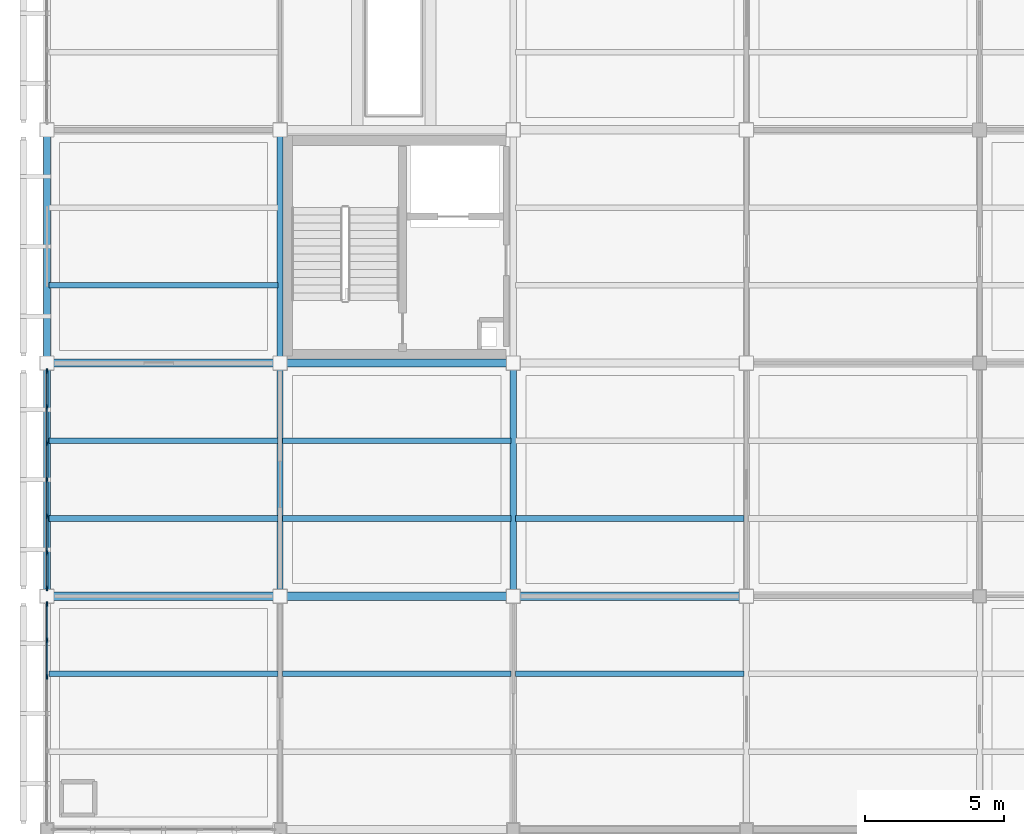
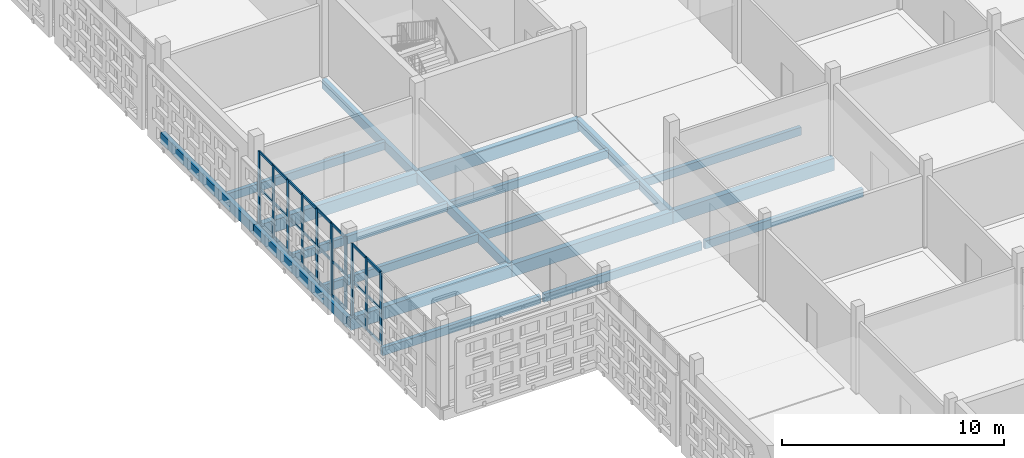
# One storey, part 24 of 203: 34 members, 19 beams, 2 elements without a shape of their own.
"""IFC4 building model written with IfcOpenShell, lengths in metres."""

from ifc_helpers import new_model, si_unit, direction, frame, origin, origin_2d, place, context, subcontext, project, spatial, rectangle, extrude, material, layer, layer_set, material_profile, profile_set, type_object, element, aggregate, save


model = new_model("IFC4")

# Units and contexts
model_context = context("Model", 3, precision=1e-05, world=origin(), true_north=direction((0.0, 1.0)))
body_context = subcontext(model_context, "Body", "Model", "MODEL_VIEW")
ifc_project = project(units=[si_unit("LENGTHUNIT", "METRE"), si_unit("AREAUNIT", "SQUARE_METRE"), si_unit("VOLUMEUNIT", "CUBIC_METRE"), si_unit("PLANEANGLEUNIT", "RADIAN"), si_unit("MASSUNIT", "GRAM", prefix="KILO")], contexts=[model_context])

# Site, building, storey
site_placement = place(None, origin())
site = spatial("IfcSite", under=ifc_project, at=site_placement, CompositionType="ELEMENT")
building_placement = place(site_placement, origin())
building = spatial("IfcBuilding", under=site, at=building_placement, Name="Varnapada Polytechnic", CompositionType="ELEMENT")
storey_placement = place(building_placement, frame((0.0, 0.0, 4.800048828125)))
storey = spatial("IfcBuildingStorey", under=building, at=storey_placement, Name="L01", CompositionType="ELEMENT", Elevation=4.800048828125)

# Beams
ifc_material_1 = material(Name="Glulam GL32h", Category="wood")
ifc_material_profile_1 = material_profile(ifc_material_1, rectangle(XDim=0.199951171875, YDim=0.43994140625, at=origin_2d()), Name="GL 200x440")
ifc_profile_set_1 = profile_set([ifc_material_profile_1], Name="Glulam GL32h")
beam_type_1 = type_object("IfcBeamType", Name="Heavy laboratory glulam joist GJ-03 (GL 200x440)", PredefinedType="JOIST", material=ifc_profile_set_1)
for number, where, z_axis, x_axis, name in (
    (1, (0.080078125, 47.60009765625, -0.469970703125), (1.0, 0.0, 0.0), (0.0, 1.0, 0.0), "L01 floor joist 1/6.2"),
    (2, (0.080078125, 53.199951171875, -0.469970703125), (1.0, 0.0, 0.0), (0.0, 1.0, 0.0), "L01 floor joist 1/7.1"),
    (3, (0.080078125, 56.0, -0.469970703125), (1.0, 0.0, 0.0), (0.0, 1.0, 0.0), "L01 floor joist 1/7.2"),
    (4, (0.080078125, 61.60009765625, -0.469970703125), (1.0, 0.0, 0.0), (0.0, 1.0, 0.0), "L01 floor joist 1/8.1"),
    (5, (8.47998046875, 47.60009765625, -0.469970703125), (1.0, 0.0, 0.0), (0.0, 1.0, 0.0), "L01 floor joist 2/6.2"),
    (6, (8.47998046875, 53.199951171875, -0.469970703125), (1.0, 0.0, 0.0), (0.0, 1.0, 0.0), "L01 floor joist 2/7.1"),
    (7, (8.47998046875, 56.0, -0.469970703125), (1.0, 0.0, 0.0), (0.0, 1.0, 0.0), "L01 floor joist 2/7.2"),
):
    element("IfcBeam", number, at=place(storey_placement, frame(where, z_axis=z_axis, x_axis=x_axis)), inside=storey, type_object=beam_type_1, Name=name, PredefinedType="JOIST", context=body_context, shape_type="SweptSolid", body=[
        extrude(rectangle(XDim=0.199951171875, YDim=0.43994140625, at=origin_2d()), origin(), (0.0, 0.0, 1.0), 8.239990234375),
    ])
for number, where, z_axis, x_axis, name in (
    (8, (16.8798828125, 47.60009765625, -0.469970703125), (1.0, 0.0, 0.0), (0.0, 1.0, 0.0), "L01 floor joist 3/6.2"),
    (9, (16.8798828125, 53.199951171875, -0.469970703125), (1.0, 0.0, 0.0), (0.0, 1.0, 0.0), "L01 floor joist 3/7.1"),
):
    element("IfcBeam", number, at=place(storey_placement, frame(where, z_axis=z_axis, x_axis=x_axis)), inside=storey, type_object=beam_type_1, Name=name, PredefinedType="JOIST", context=body_context, shape_type="SweptSolid", body=[
        extrude(rectangle(XDim=0.199951171875, YDim=0.43994140625, at=origin_2d()), origin(), (0.0, 0.0, 1.0), 8.240234375),
    ])
ifc_material_profile_2 = material_profile(ifc_material_1, rectangle(XDim=0.219970703125, YDim=0.52001953125, at=origin_2d()), Name="GL 220x520")
ifc_profile_set_2 = profile_set([ifc_material_profile_2], Name="Glulam GL32h")
beam_type_2 = type_object("IfcBeamType", Name="Laboratory transverse glulam beam GB-12 (GL 220x520)", PredefinedType="BEAM", material=ifc_profile_set_2)
beam_1_placement = place(storey_placement, frame((8.39990234375, 50.39990234375, -0.510009765625), z_axis=(0.0, 1.0, 0.0), x_axis=(-1.0, 0.0, 0.0)))
element("IfcBeam", 10, at=beam_1_placement, inside=storey, type_object=beam_type_2, Name="L01 beam Y 7-8 at X2", PredefinedType="BEAM", context=body_context, shape_type="SweptSolid", body=[
    extrude(rectangle(XDim=0.219970703125, YDim=0.52001953125, at=origin_2d()), origin(), (0.0, 0.0, 1.0), 8.400146484375),
])
beam_2_placement = place(storey_placement, frame((8.39990234375, 58.800048828125, -0.510009765625), z_axis=(0.0, 1.0, 0.0), x_axis=(-1.0, 0.0, 0.0)))
element("IfcBeam", 11, at=beam_2_placement, inside=storey, type_object=beam_type_2, Name="L01 beam Y 8-9 at X2", PredefinedType="BEAM", context=body_context, shape_type="SweptSolid", body=[
    extrude(rectangle(XDim=0.219970703125, YDim=0.52001953125, at=origin_2d()), origin(), (0.0, 0.0, 1.0), 8.39990234375),
])
beam_3_placement = place(storey_placement, frame((16.800048828125, 50.39990234375, -0.510009765625), z_axis=(0.0, 1.0, 0.0), x_axis=(-1.0, 0.0, 0.0)))
element("IfcBeam", 12, at=beam_3_placement, inside=storey, type_object=beam_type_2, Name="L01 beam Y 7-8 at X3", PredefinedType="BEAM", context=body_context, shape_type="SweptSolid", body=[
    extrude(rectangle(XDim=0.219970703125, YDim=0.52001953125, at=origin_2d()), origin(), (0.0, 0.0, 1.0), 8.400146484375),
])

# Curtain wall, members
ifc_material_2 = material(Name="Double low-E laminated glass", Category="glass")
ifc_layer = layer(ifc_material_2, 0.179931640625)
ifc_layer_set = layer_set([ifc_layer], Name="Double low-E laminated glass")
curtain_wall_type = type_object("IfcCurtainWallType", Name="Curtain Wall CW-03", PredefinedType="NOTDEFINED", material=ifc_layer_set)
curtain_wall_1_placement = place(storey_placement, origin())
curtain_wall_1 = element("IfcCurtainWall", 13, at=curtain_wall_1_placement, inside=storey, type_object=curtain_wall_type, Name="L01 unitised curtain wall CW-03 (20)", PredefinedType="NOTDEFINED")
ifc_material_3 = material(Name="Anodised aluminium", Category="aluminium")
ifc_material_profile_3 = material_profile(ifc_material_3, rectangle(XDim=0.06494140625, YDim=0.179931640625, at=origin_2d()), Name="ALU M65x180")
ifc_profile_set_3 = profile_set([ifc_material_profile_3], Name="Anodised aluminium")
member_type_1 = type_object("IfcMemberType", Name="Mullion M-02", PredefinedType="MULLION", material=ifc_profile_set_3)
member_1_placement = place(storey_placement, frame((0.0, 47.49658203125, 0.0), z_axis=(0.0, 0.0, 1.0), x_axis=(-1.0, 0.0, 0.0)))
member_1 = element("IfcMember", 14, at=member_1_placement, type_object=member_type_1, Name="CW-03 mullion 5", PredefinedType="MULLION", context=body_context, shape_type="SweptSolid", body=[
    extrude(rectangle(XDim=0.06494140625, YDim=0.179931640625, at=origin_2d()), origin(), (0.0, 0.0, 1.0), 3.9599609375),
])
member_2_placement = place(storey_placement, frame((0.0, 48.818359375, 0.0), z_axis=(0.0, 0.0, 1.0), x_axis=(-1.0, 0.0, 0.0)))
member_2 = element("IfcMember", 15, at=member_2_placement, type_object=member_type_1, Name="CW-03 mullion 6", PredefinedType="MULLION", context=body_context, shape_type="SweptSolid", body=[
    extrude(rectangle(XDim=0.06494140625, YDim=0.179931640625, at=origin_2d()), origin(), (0.0, 0.0, 1.0), 3.9599609375),
])
member_3_placement = place(storey_placement, frame((0.0, 50.107421875, 0.0), z_axis=(0.0, 0.0, 1.0), x_axis=(-1.0, 0.0, 0.0)))
member_3 = element("IfcMember", 16, at=member_3_placement, type_object=member_type_1, Name="CW-03 mullion 7", PredefinedType="MULLION", context=body_context, shape_type="SweptSolid", body=[
    extrude(rectangle(XDim=0.06494140625, YDim=0.179931640625, at=origin_2d()), origin(), (0.0, 0.0, 1.0), 3.9599609375),
])

curtain_wall_2_placement = place(storey_placement, origin())
curtain_wall_2 = element("IfcCurtainWall", 17, at=curtain_wall_2_placement, inside=storey, type_object=curtain_wall_type, Name="L01 unitised curtain wall CW-03 (21)", PredefinedType="NOTDEFINED")
member_4_placement = place(storey_placement, frame((0.0, 50.6923828125, 0.0), z_axis=(0.0, 0.0, 1.0), x_axis=(-1.0, 0.0, 0.0)))
member_4 = element("IfcMember", 18, at=member_4_placement, type_object=member_type_1, Name="CW-03 mullion 1", PredefinedType="MULLION", context=body_context, shape_type="SweptSolid", body=[
    extrude(rectangle(XDim=0.06494140625, YDim=0.179931640625, at=origin_2d()), origin(), (0.0, 0.0, 1.0), 3.9599609375),
])
member_5_placement = place(storey_placement, frame((0.0, 51.973388671875, 0.0), z_axis=(0.0, 0.0, 1.0), x_axis=(-1.0, 0.0, 0.0)))
member_5 = element("IfcMember", 19, at=member_5_placement, type_object=member_type_1, Name="CW-03 mullion 2", PredefinedType="MULLION", context=body_context, shape_type="SweptSolid", body=[
    extrude(rectangle(XDim=0.06494140625, YDim=0.179931640625, at=origin_2d()), origin(), (0.0, 0.0, 1.0), 3.9599609375),
])
member_6_placement = place(storey_placement, frame((0.0, 53.28662109375, 0.0), z_axis=(0.0, 0.0, 1.0), x_axis=(-1.0, 0.0, 0.0)))
member_6 = element("IfcMember", 20, at=member_6_placement, type_object=member_type_1, Name="CW-03 mullion 3", PredefinedType="MULLION", context=body_context, shape_type="SweptSolid", body=[
    extrude(rectangle(XDim=0.06494140625, YDim=0.179931640625, at=origin_2d()), origin(), (0.0, 0.0, 1.0), 3.9599609375),
])
member_7_placement = place(storey_placement, frame((0.0, 54.60009765625, 0.0), z_axis=(0.0, 0.0, 1.0), x_axis=(-1.0, 0.0, 0.0)))
member_7 = element("IfcMember", 21, at=member_7_placement, type_object=member_type_1, Name="CW-03 mullion 4", PredefinedType="MULLION", context=body_context, shape_type="SweptSolid", body=[
    extrude(rectangle(XDim=0.06494140625, YDim=0.179931640625, at=origin_2d()), origin(), (0.0, 0.0, 1.0), 3.9599609375),
])
member_8_placement = place(storey_placement, frame((0.0, 55.913330078125, 0.0), z_axis=(0.0, 0.0, 1.0), x_axis=(-1.0, 0.0, 0.0)))
member_8 = element("IfcMember", 22, at=member_8_placement, type_object=member_type_1, Name="CW-03 mullion 5", PredefinedType="MULLION", context=body_context, shape_type="SweptSolid", body=[
    extrude(rectangle(XDim=0.06494140625, YDim=0.179931640625, at=origin_2d()), origin(), (0.0, 0.0, 1.0), 3.9599609375),
])
member_9_placement = place(storey_placement, frame((0.0, 57.2265625, 0.0), z_axis=(0.0, 0.0, 1.0), x_axis=(-1.0, 0.0, 0.0)))
member_9 = element("IfcMember", 23, at=member_9_placement, type_object=member_type_1, Name="CW-03 mullion 6", PredefinedType="MULLION", context=body_context, shape_type="SweptSolid", body=[
    extrude(rectangle(XDim=0.06494140625, YDim=0.179931640625, at=origin_2d()), origin(), (0.0, 0.0, 1.0), 3.9599609375),
])
member_10_placement = place(storey_placement, frame((0.0, 58.507568359375, 0.0), z_axis=(0.0, 0.0, 1.0), x_axis=(-1.0, 0.0, 0.0)))
member_10 = element("IfcMember", 24, at=member_10_placement, type_object=member_type_1, Name="CW-03 mullion 7", PredefinedType="MULLION", context=body_context, shape_type="SweptSolid", body=[
    extrude(rectangle(XDim=0.06494140625, YDim=0.179931640625, at=origin_2d()), origin(), (0.0, 0.0, 1.0), 3.9599609375),
])

# Beams
ifc_material_profile_4 = material_profile(ifc_material_1, rectangle(XDim=0.239990234375, YDim=0.56005859375, at=origin_2d()), Name="GL 240x560")
ifc_profile_set_4 = profile_set([ifc_material_profile_4], Name="Glulam GL32h")
beam_type_3 = type_object("IfcBeamType", Name="Perimeter glulam spandrel beam SP-02 (GL 240x560)", PredefinedType="SPANDREL", material=ifc_profile_set_4)
beam_4_placement = place(storey_placement, frame((0.0, 50.39990234375, -0.530029296875), z_axis=(0.0, 1.0, 0.0), x_axis=(-1.0, 0.0, 0.0)))
element("IfcBeam", 25, at=beam_4_placement, inside=storey, type_object=beam_type_3, Name="L01 beam Y 7-8 at X1", PredefinedType="SPANDREL", context=body_context, shape_type="SweptSolid", body=[
    extrude(rectangle(XDim=0.239990234375, YDim=0.56005859375, at=origin_2d()), origin(), (0.0, 0.0, 1.0), 8.400146484375),
])
beam_5_placement = place(storey_placement, frame((0.0, 58.800048828125, -0.530029296875), z_axis=(0.0, 1.0, 0.0), x_axis=(-1.0, 0.0, 0.0)))
element("IfcBeam", 26, at=beam_5_placement, inside=storey, type_object=beam_type_3, Name="L01 beam Y 8-9 at X1", PredefinedType="SPANDREL", context=body_context, shape_type="SweptSolid", body=[
    extrude(rectangle(XDim=0.239990234375, YDim=0.56005859375, at=origin_2d()), origin(), (0.0, 0.0, 1.0), 8.39990234375),
])

# Member
ifc_material_profile_5 = material_profile(ifc_material_3, rectangle(XDim=0.06494140625, YDim=0.139892578125, at=origin_2d()), Name="ALU T65x140")
ifc_profile_set_5 = profile_set([ifc_material_profile_5], Name="Anodised aluminium")
member_type_2 = type_object("IfcMemberType", Name="Transom T-02", PredefinedType="USERDEFINED", material=ifc_profile_set_5)
member_11_placement = place(storey_placement, frame((0.0, 47.529052734375, 0.032470703125), z_axis=(0.0, 1.0, 0.0), x_axis=(-1.0, 0.0, 0.0)))
member_11 = element("IfcMember", 27, at=member_11_placement, type_object=member_type_2, Name="CW-03 transom 5.1", ObjectType="TRANSOM", PredefinedType="USERDEFINED", context=body_context, shape_type="SweptSolid", body=[
    extrude(rectangle(XDim=0.06494140625, YDim=0.139892578125, at=origin_2d()), origin(), (0.0, 0.0, 1.0), 1.2568359375),
])

member_12_placement = place(storey_placement, frame((0.0, 47.529052734375, 1.900634765625), z_axis=(0.0, 1.0, 0.0), x_axis=(-1.0, 0.0, 0.0)))
member_12 = element("IfcMember", 28, at=member_12_placement, type_object=member_type_2, Name="CW-03 transom 5.2", ObjectType="TRANSOM", PredefinedType="USERDEFINED", context=body_context, shape_type="SweptSolid", body=[
    extrude(rectangle(XDim=0.06494140625, YDim=0.139892578125, at=origin_2d()), origin(), (0.0, 0.0, 1.0), 1.2568359375),
])

member_13_placement = place(storey_placement, frame((0.0, 47.529052734375, 3.927490234375), z_axis=(0.0, 1.0, 0.0), x_axis=(-1.0, 0.0, 0.0)))
member_13 = element("IfcMember", 29, at=member_13_placement, type_object=member_type_2, Name="CW-03 transom 5.3", ObjectType="TRANSOM", PredefinedType="USERDEFINED", context=body_context, shape_type="SweptSolid", body=[
    extrude(rectangle(XDim=0.06494140625, YDim=0.139892578125, at=origin_2d()), origin(), (0.0, 0.0, 1.0), 1.2568359375),
])

member_14_placement = place(storey_placement, frame((0.0, 48.850830078125, 0.032470703125), z_axis=(0.0, 1.0, 0.0), x_axis=(-1.0, 0.0, 0.0)))
member_14 = element("IfcMember", 30, at=member_14_placement, type_object=member_type_2, Name="CW-03 transom 6.1", ObjectType="TRANSOM", PredefinedType="USERDEFINED", context=body_context, shape_type="SweptSolid", body=[
    extrude(rectangle(XDim=0.06494140625, YDim=0.139892578125, at=origin_2d()), origin(), (0.0, 0.0, 1.0), 1.22412109375),
])

member_15_placement = place(storey_placement, frame((0.0, 48.850830078125, 1.900634765625), z_axis=(0.0, 1.0, 0.0), x_axis=(-1.0, 0.0, 0.0)))
member_15 = element("IfcMember", 31, at=member_15_placement, type_object=member_type_2, Name="CW-03 transom 6.2", ObjectType="TRANSOM", PredefinedType="USERDEFINED", context=body_context, shape_type="SweptSolid", body=[
    extrude(rectangle(XDim=0.06494140625, YDim=0.139892578125, at=origin_2d()), origin(), (0.0, 0.0, 1.0), 1.22412109375),
])

member_16_placement = place(storey_placement, frame((0.0, 48.850830078125, 3.927490234375), z_axis=(0.0, 1.0, 0.0), x_axis=(-1.0, 0.0, 0.0)))
member_16 = element("IfcMember", 32, at=member_16_placement, type_object=member_type_2, Name="CW-03 transom 6.3", ObjectType="TRANSOM", PredefinedType="USERDEFINED", context=body_context, shape_type="SweptSolid", body=[
    extrude(rectangle(XDim=0.06494140625, YDim=0.139892578125, at=origin_2d()), origin(), (0.0, 0.0, 1.0), 1.22412109375),
])

aggregate(curtain_wall_1, [member_1, member_2, member_3, member_11, member_12, member_13, member_14, member_15, member_16])

member_17_placement = place(storey_placement, frame((0.0, 50.72509765625, 0.032470703125), z_axis=(0.0, 1.0, 0.0), x_axis=(-1.0, 0.0, 0.0)))
member_17 = element("IfcMember", 33, at=member_17_placement, type_object=member_type_2, Name="CW-03 transom 1.1", ObjectType="TRANSOM", PredefinedType="USERDEFINED", context=body_context, shape_type="SweptSolid", body=[
    extrude(rectangle(XDim=0.06494140625, YDim=0.139892578125, at=origin_2d()), origin(), (0.0, 0.0, 1.0), 1.2158203125),
])

member_18_placement = place(storey_placement, frame((0.0, 50.72509765625, 1.900634765625), z_axis=(0.0, 1.0, 0.0), x_axis=(-1.0, 0.0, 0.0)))
member_18 = element("IfcMember", 34, at=member_18_placement, type_object=member_type_2, Name="CW-03 transom 1.2", ObjectType="TRANSOM", PredefinedType="USERDEFINED", context=body_context, shape_type="SweptSolid", body=[
    extrude(rectangle(XDim=0.06494140625, YDim=0.139892578125, at=origin_2d()), origin(), (0.0, 0.0, 1.0), 1.2158203125),
])

member_19_placement = place(storey_placement, frame((0.0, 50.72509765625, 3.927490234375), z_axis=(0.0, 1.0, 0.0), x_axis=(-1.0, 0.0, 0.0)))
member_19 = element("IfcMember", 35, at=member_19_placement, type_object=member_type_2, Name="CW-03 transom 1.3", ObjectType="TRANSOM", PredefinedType="USERDEFINED", context=body_context, shape_type="SweptSolid", body=[
    extrude(rectangle(XDim=0.06494140625, YDim=0.139892578125, at=origin_2d()), origin(), (0.0, 0.0, 1.0), 1.2158203125),
])

member_20_placement = place(storey_placement, frame((0.0, 52.005859375, 0.032470703125), z_axis=(0.0, 1.0, 0.0), x_axis=(-1.0, 0.0, 0.0)))
member_20 = element("IfcMember", 36, at=member_20_placement, type_object=member_type_2, Name="CW-03 transom 2.1", ObjectType="TRANSOM", PredefinedType="USERDEFINED", context=body_context, shape_type="SweptSolid", body=[
    extrude(rectangle(XDim=0.06494140625, YDim=0.139892578125, at=origin_2d()), origin(), (0.0, 0.0, 1.0), 1.248291015625),
])

member_21_placement = place(storey_placement, frame((0.0, 52.005859375, 1.900634765625), z_axis=(0.0, 1.0, 0.0), x_axis=(-1.0, 0.0, 0.0)))
member_21 = element("IfcMember", 37, at=member_21_placement, type_object=member_type_2, Name="CW-03 transom 2.2", ObjectType="TRANSOM", PredefinedType="USERDEFINED", context=body_context, shape_type="SweptSolid", body=[
    extrude(rectangle(XDim=0.06494140625, YDim=0.139892578125, at=origin_2d()), origin(), (0.0, 0.0, 1.0), 1.248291015625),
])

member_22_placement = place(storey_placement, frame((0.0, 52.005859375, 3.927490234375), z_axis=(0.0, 1.0, 0.0), x_axis=(-1.0, 0.0, 0.0)))
member_22 = element("IfcMember", 38, at=member_22_placement, type_object=member_type_2, Name="CW-03 transom 2.3", ObjectType="TRANSOM", PredefinedType="USERDEFINED", context=body_context, shape_type="SweptSolid", body=[
    extrude(rectangle(XDim=0.06494140625, YDim=0.139892578125, at=origin_2d()), origin(), (0.0, 0.0, 1.0), 1.248291015625),
])

member_23_placement = place(storey_placement, frame((0.0, 53.319091796875, 0.032470703125), z_axis=(0.0, 1.0, 0.0), x_axis=(-1.0, 0.0, 0.0)))
member_23 = element("IfcMember", 39, at=member_23_placement, type_object=member_type_2, Name="CW-03 transom 3.1", ObjectType="TRANSOM", PredefinedType="USERDEFINED", context=body_context, shape_type="SweptSolid", body=[
    extrude(rectangle(XDim=0.06494140625, YDim=0.139892578125, at=origin_2d()), origin(), (0.0, 0.0, 1.0), 1.248291015625),
])

member_24_placement = place(storey_placement, frame((0.0, 53.319091796875, 1.900634765625), z_axis=(0.0, 1.0, 0.0), x_axis=(-1.0, 0.0, 0.0)))
member_24 = element("IfcMember", 40, at=member_24_placement, type_object=member_type_2, Name="CW-03 transom 3.2", ObjectType="TRANSOM", PredefinedType="USERDEFINED", context=body_context, shape_type="SweptSolid", body=[
    extrude(rectangle(XDim=0.06494140625, YDim=0.139892578125, at=origin_2d()), origin(), (0.0, 0.0, 1.0), 1.248291015625),
])

member_25_placement = place(storey_placement, frame((0.0, 53.319091796875, 3.927490234375), z_axis=(0.0, 1.0, 0.0), x_axis=(-1.0, 0.0, 0.0)))
member_25 = element("IfcMember", 41, at=member_25_placement, type_object=member_type_2, Name="CW-03 transom 3.3", ObjectType="TRANSOM", PredefinedType="USERDEFINED", context=body_context, shape_type="SweptSolid", body=[
    extrude(rectangle(XDim=0.06494140625, YDim=0.139892578125, at=origin_2d()), origin(), (0.0, 0.0, 1.0), 1.248291015625),
])

member_26_placement = place(storey_placement, frame((0.0, 54.632568359375, 0.032470703125), z_axis=(0.0, 1.0, 0.0), x_axis=(-1.0, 0.0, 0.0)))
member_26 = element("IfcMember", 42, at=member_26_placement, type_object=member_type_2, Name="CW-03 transom 4.1", ObjectType="TRANSOM", PredefinedType="USERDEFINED", context=body_context, shape_type="SweptSolid", body=[
    extrude(rectangle(XDim=0.06494140625, YDim=0.139892578125, at=origin_2d()), origin(), (0.0, 0.0, 1.0), 1.248291015625),
])

member_27_placement = place(storey_placement, frame((0.0, 54.632568359375, 1.900634765625), z_axis=(0.0, 1.0, 0.0), x_axis=(-1.0, 0.0, 0.0)))
member_27 = element("IfcMember", 43, at=member_27_placement, type_object=member_type_2, Name="CW-03 transom 4.2", ObjectType="TRANSOM", PredefinedType="USERDEFINED", context=body_context, shape_type="SweptSolid", body=[
    extrude(rectangle(XDim=0.06494140625, YDim=0.139892578125, at=origin_2d()), origin(), (0.0, 0.0, 1.0), 1.248291015625),
])

member_28_placement = place(storey_placement, frame((0.0, 54.632568359375, 3.927490234375), z_axis=(0.0, 1.0, 0.0), x_axis=(-1.0, 0.0, 0.0)))
member_28 = element("IfcMember", 44, at=member_28_placement, type_object=member_type_2, Name="CW-03 transom 4.3", ObjectType="TRANSOM", PredefinedType="USERDEFINED", context=body_context, shape_type="SweptSolid", body=[
    extrude(rectangle(XDim=0.06494140625, YDim=0.139892578125, at=origin_2d()), origin(), (0.0, 0.0, 1.0), 1.248291015625),
])

member_29_placement = place(storey_placement, frame((0.0, 55.94580078125, 0.032470703125), z_axis=(0.0, 1.0, 0.0), x_axis=(-1.0, 0.0, 0.0)))
member_29 = element("IfcMember", 45, at=member_29_placement, type_object=member_type_2, Name="CW-03 transom 5.1", ObjectType="TRANSOM", PredefinedType="USERDEFINED", context=body_context, shape_type="SweptSolid", body=[
    extrude(rectangle(XDim=0.06494140625, YDim=0.139892578125, at=origin_2d()), origin(), (0.0, 0.0, 1.0), 1.248291015625),
])

member_30_placement = place(storey_placement, frame((0.0, 55.94580078125, 1.900634765625), z_axis=(0.0, 1.0, 0.0), x_axis=(-1.0, 0.0, 0.0)))
member_30 = element("IfcMember", 46, at=member_30_placement, type_object=member_type_2, Name="CW-03 transom 5.2", ObjectType="TRANSOM", PredefinedType="USERDEFINED", context=body_context, shape_type="SweptSolid", body=[
    extrude(rectangle(XDim=0.06494140625, YDim=0.139892578125, at=origin_2d()), origin(), (0.0, 0.0, 1.0), 1.248291015625),
])

member_31_placement = place(storey_placement, frame((0.0, 55.94580078125, 3.927490234375), z_axis=(0.0, 1.0, 0.0), x_axis=(-1.0, 0.0, 0.0)))
member_31 = element("IfcMember", 47, at=member_31_placement, type_object=member_type_2, Name="CW-03 transom 5.3", ObjectType="TRANSOM", PredefinedType="USERDEFINED", context=body_context, shape_type="SweptSolid", body=[
    extrude(rectangle(XDim=0.06494140625, YDim=0.139892578125, at=origin_2d()), origin(), (0.0, 0.0, 1.0), 1.248291015625),
])

member_32_placement = place(storey_placement, frame((0.0, 57.25927734375, 0.032470703125), z_axis=(0.0, 1.0, 0.0), x_axis=(-1.0, 0.0, 0.0)))
member_32 = element("IfcMember", 48, at=member_32_placement, type_object=member_type_2, Name="CW-03 transom 6.1", ObjectType="TRANSOM", PredefinedType="USERDEFINED", context=body_context, shape_type="SweptSolid", body=[
    extrude(rectangle(XDim=0.06494140625, YDim=0.139892578125, at=origin_2d()), origin(), (0.0, 0.0, 1.0), 1.2158203125),
])

member_33_placement = place(storey_placement, frame((0.0, 57.25927734375, 1.900634765625), z_axis=(0.0, 1.0, 0.0), x_axis=(-1.0, 0.0, 0.0)))
member_33 = element("IfcMember", 49, at=member_33_placement, type_object=member_type_2, Name="CW-03 transom 6.2", ObjectType="TRANSOM", PredefinedType="USERDEFINED", context=body_context, shape_type="SweptSolid", body=[
    extrude(rectangle(XDim=0.06494140625, YDim=0.139892578125, at=origin_2d()), origin(), (0.0, 0.0, 1.0), 1.2158203125),
])

member_34_placement = place(storey_placement, frame((0.0, 57.25927734375, 3.927490234375), z_axis=(0.0, 1.0, 0.0), x_axis=(-1.0, 0.0, 0.0)))
member_34 = element("IfcMember", 50, at=member_34_placement, type_object=member_type_2, Name="CW-03 transom 6.3", ObjectType="TRANSOM", PredefinedType="USERDEFINED", context=body_context, shape_type="SweptSolid", body=[
    extrude(rectangle(XDim=0.06494140625, YDim=0.139892578125, at=origin_2d()), origin(), (0.0, 0.0, 1.0), 1.2158203125),
])

aggregate(curtain_wall_2, [member_4, member_5, member_6, member_7, member_8, member_9, member_10, member_17, member_18, member_19, member_20, member_21, member_22, member_23, member_24, member_25, member_26, member_27, member_28, member_29, member_30, member_31, member_32, member_33, member_34])

# Beams
ifc_material_profile_6 = material_profile(ifc_material_1, rectangle(XDim=0.300048828125, YDim=0.679931640625, at=origin_2d()), Name="GL 300x680")
ifc_profile_set_6 = profile_set([ifc_material_profile_6], Name="Glulam GL32h")
beam_type_4 = type_object("IfcBeamType", Name="Wet laboratory glulam girder GG-04 (GL 300x680)", PredefinedType="BEAM", material=ifc_profile_set_6)
for number, where, z_axis, x_axis, name in (
    (51, (0.0, 50.39990234375, -0.590087890625), (1.0, 0.0, 0.0), (0.0, 1.0, 0.0), "L01 beam X 1-2 at Y7"),
    (52, (0.0, 58.800048828125, -0.590087890625), (1.0, 0.0, 0.0), (0.0, 1.0, 0.0), "L01 beam X 1-2 at Y8"),
):
    element("IfcBeam", number, at=place(storey_placement, frame(where, z_axis=z_axis, x_axis=x_axis)), inside=storey, type_object=beam_type_4, Name=name, PredefinedType="BEAM", context=body_context, shape_type="SweptSolid", body=[
        extrude(rectangle(XDim=0.300048828125, YDim=0.679931640625, at=origin_2d()), origin(), (0.0, 0.0, 1.0), 8.39990234375),
    ])
for number, where, z_axis, x_axis, name in (
    (53, (8.39990234375, 50.39990234375, -0.590087890625), (1.0, 0.0, 0.0), (0.0, 1.0, 0.0), "L01 beam X 2-3 at Y7"),
    (54, (8.39990234375, 58.800048828125, -0.590087890625), (1.0, 0.0, 0.0), (0.0, 1.0, 0.0), "L01 beam X 2-3 at Y8"),
):
    element("IfcBeam", number, at=place(storey_placement, frame(where, z_axis=z_axis, x_axis=x_axis)), inside=storey, type_object=beam_type_4, Name=name, PredefinedType="BEAM", context=body_context, shape_type="SweptSolid", body=[
        extrude(rectangle(XDim=0.300048828125, YDim=0.679931640625, at=origin_2d()), origin(), (0.0, 0.0, 1.0), 8.400146484375),
    ])
beam_6_placement = place(storey_placement, frame((16.800048828125, 50.39990234375, -0.590087890625), z_axis=(1.0, 0.0, 0.0), x_axis=(0.0, 1.0, 0.0)))
element("IfcBeam", 55, at=beam_6_placement, inside=storey, type_object=beam_type_4, Name="L01 beam X 3-4 at Y7", PredefinedType="BEAM", context=body_context, shape_type="SweptSolid", body=[
    extrude(rectangle(XDim=0.300048828125, YDim=0.679931640625, at=origin_2d()), origin(), (0.0, 0.0, 1.0), 8.39990234375),
])

save(model, "model.ifc")
